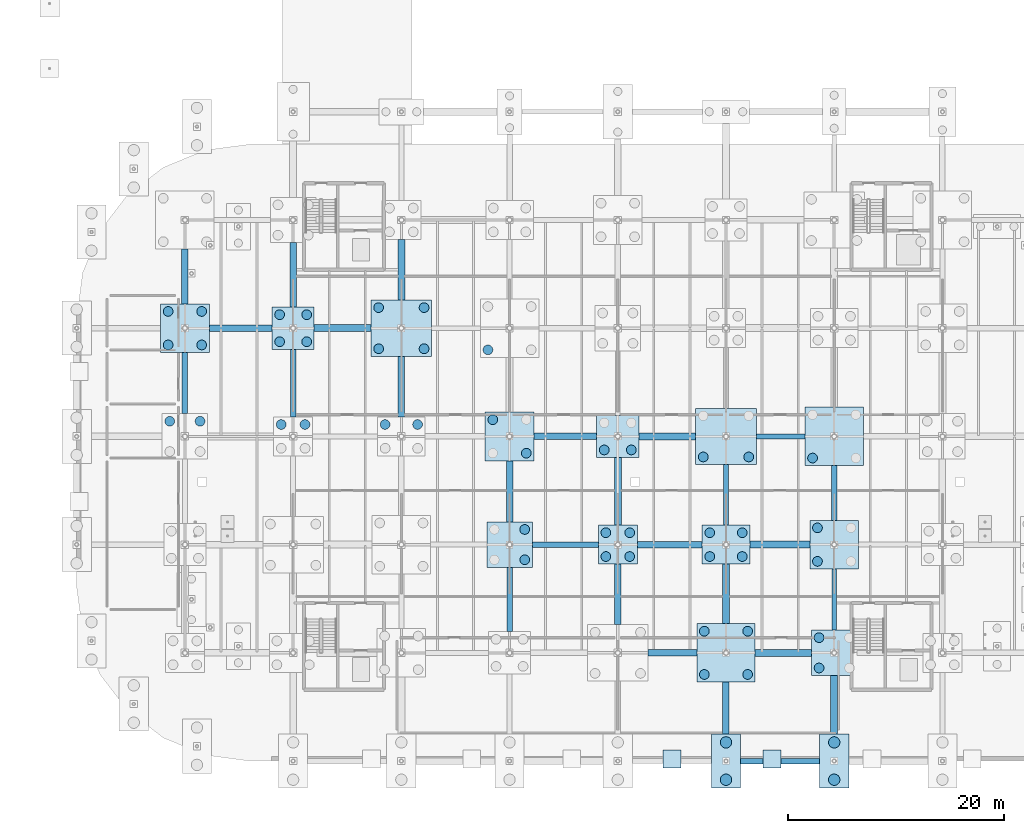
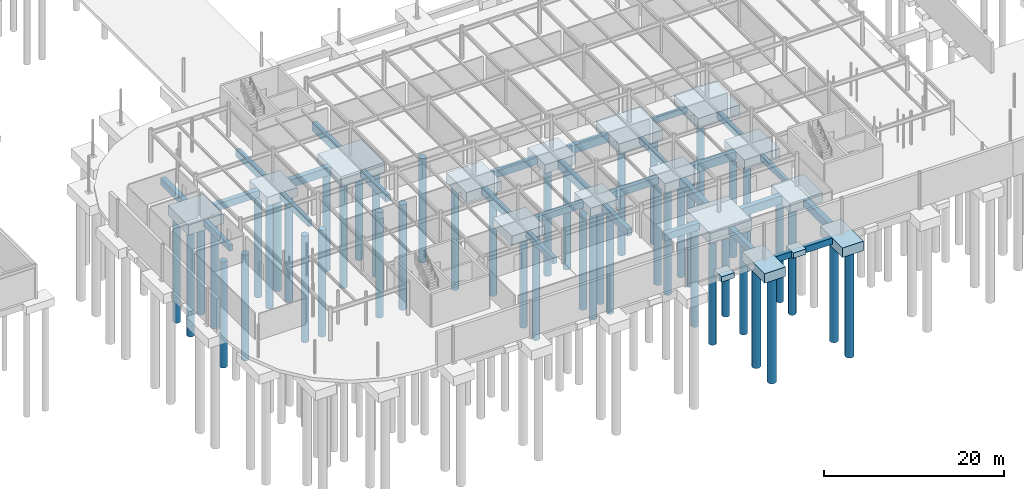
# One storey, part 3 of 75: 48 piles, 44 footings.
"""IFC4 building model written with IfcOpenShell, lengths in metres."""

from ifc_helpers import new_model, si_unit, derived_unit, direction, frame, origin, origin_2d_with_axis, place, context, subcontext, project, spatial, rectangle, circle, extrude, material, layer, layer_set, material_profile, profile_set, type_object, element, save


model = new_model("IFC4")

# Units and contexts
model_context = context("Model", 3, precision=1e-05, world=origin(), true_north=direction((0.0, 1.0)))
body_context = subcontext(model_context, "Body", "Model", "MODEL_VIEW")
ifc_project = project(units=[si_unit("LENGTHUNIT", "METRE"), si_unit("AREAUNIT", "SQUARE_METRE"), si_unit("VOLUMEUNIT", "CUBIC_METRE"), si_unit("PLANEANGLEUNIT", "RADIAN"), si_unit("MASSUNIT", "GRAM", prefix="KILO"), derived_unit("THERMALTRANSMITTANCEUNIT", [(si_unit("POWERUNIT", "WATT"), 1), (si_unit("LENGTHUNIT", "METRE"), -2), (si_unit("THERMODYNAMICTEMPERATUREUNIT", "KELVIN"), -1)])], contexts=[model_context])

# Site, building, storey
site_placement = place(None, origin())
site = spatial("IfcSite", under=ifc_project, at=site_placement, CompositionType="ELEMENT")
building_placement = place(site_placement, origin())
building = spatial("IfcBuilding", under=site, at=building_placement, Name="Cinnabar Yard Market Hall", CompositionType="ELEMENT")
storey_placement = place(building_placement, frame((0.0, 0.0, -4.5)))
storey = spatial("IfcBuildingStorey", under=building, at=storey_placement, Name="B1", CompositionType="ELEMENT", Elevation=-4.5)

# Footings
ifc_material = material(Name="Concrete 40 MPa", Category="concrete")
ifc_material_profile_1 = material_profile(ifc_material, rectangle(XDim=0.449951171875, YDim=0.75, at=origin_2d_with_axis()), Name="GB-450x750")
ifc_profile_set_1 = profile_set([ifc_material_profile_1], Name="Concrete 40 MPa")
footing_type_1 = type_object("IfcFootingType", Name="FT-GB01", PredefinedType="FOOTING_BEAM", material=ifc_profile_set_1)
footing_1_placement = place(storey_placement, frame((128.800048828125, 44.0, -0.824951171875), z_axis=(1.0, 0.0, 0.0), x_axis=(0.0, 1.0, 0.0)))
element("IfcFooting", 1, at=footing_1_placement, inside=storey, type_object=footing_type_1, Name="Ground Beam X 0044", PredefinedType="FOOTING_BEAM", context=body_context, shape_type="SweptSolid", body=[
    extrude(rectangle(XDim=0.449951171875, YDim=0.75, at=origin_2d_with_axis()), origin(), (0.0, 0.0, 1.0), 4.5),
])
footing_2_placement = place(storey_placement, frame((126.0, 35.800048828125, -0.824951171875), z_axis=(0.0, 1.0, 0.0), x_axis=(-1.0, 0.0, 0.0)))
element("IfcFooting", 2, at=footing_2_placement, inside=storey, type_object=footing_type_1, Name="Ground Beam Y 0228", PredefinedType="FOOTING_BEAM", context=body_context, shape_type="SweptSolid", body=[
    extrude(rectangle(XDim=0.449951171875, YDim=0.75, at=origin_2d_with_axis()), origin(), (0.0, 0.0, 1.0), 5.599853515625),
])
footing_3_placement = place(storey_placement, frame((136.0, 26.10009765625, -0.824951171875), z_axis=(0.0, 1.0, 0.0), x_axis=(-1.0, 0.0, 0.0)))
element("IfcFooting", 3, at=footing_3_placement, inside=storey, type_object=footing_type_1, Name="Ground Beam Y 0236", PredefinedType="FOOTING_BEAM", context=body_context, shape_type="SweptSolid", body=[
    extrude(rectangle(XDim=0.449951171875, YDim=0.75, at=origin_2d_with_axis()), origin(), (0.0, 0.0, 1.0), 5.64990234375),
])
ifc_material_profile_2 = material_profile(ifc_material, rectangle(XDim=0.5, YDim=0.85009765625, at=origin_2d_with_axis()), Name="GB-500x850")
ifc_profile_set_2 = profile_set([ifc_material_profile_2], Name="Concrete 40 MPa")
footing_type_2 = type_object("IfcFootingType", Name="FT-GB02", PredefinedType="FOOTING_BEAM", material=ifc_profile_set_2)
footing_4_placement = place(storey_placement, frame((127.35009765625, 14.0, -0.875), z_axis=(1.0, 0.0, 0.0), x_axis=(0.0, 1.0, 0.0)))
element("IfcFooting", 4, at=footing_4_placement, inside=storey, type_object=footing_type_2, Name="Ground Beam X 0005", PredefinedType="FOOTING_BEAM", context=body_context, shape_type="SweptSolid", body=[
    extrude(rectangle(XDim=0.5, YDim=0.85009765625, at=origin_2d_with_axis()), origin(), (0.0, 0.0, 1.0), 7.2998046875),
])
footing_5_placement = place(storey_placement, frame((108.10009765625, 34.0, -0.875), z_axis=(1.0, 0.0, 0.0), x_axis=(0.0, 1.0, 0.0)))
element("IfcFooting", 5, at=footing_5_placement, inside=storey, type_object=footing_type_2, Name="Ground Beam X 0025", PredefinedType="FOOTING_BEAM", context=body_context, shape_type="SweptSolid", body=[
    extrude(rectangle(XDim=0.5, YDim=0.85009765625, at=origin_2d_with_axis()), origin(), (0.0, 0.0, 1.0), 6.099853515625),
])
footing_6_placement = place(storey_placement, frame((76.0, 46.10009765625, -0.875), z_axis=(0.0, 1.0, 0.0), x_axis=(-1.0, 0.0, 0.0)))
element("IfcFooting", 6, at=footing_6_placement, inside=storey, type_object=footing_type_2, Name="Ground Beam Y 0185", PredefinedType="FOOTING_BEAM", context=body_context, shape_type="SweptSolid", body=[
    extrude(rectangle(XDim=0.5, YDim=0.85009765625, at=origin_2d_with_axis()), origin(), (0.0, 0.0, 1.0), 5.64990234375),
])
footing_7_placement = place(storey_placement, frame((86.0, 45.800048828125, -0.875), z_axis=(0.0, 1.0, 0.0), x_axis=(-1.0, 0.0, 0.0)))
element("IfcFooting", 7, at=footing_7_placement, inside=storey, type_object=footing_type_2, Name="Ground Beam Y 0193", PredefinedType="FOOTING_BEAM", context=body_context, shape_type="SweptSolid", body=[
    extrude(rectangle(XDim=0.5, YDim=0.85009765625, at=origin_2d_with_axis()), origin(), (0.0, 0.0, 1.0), 6.25),
])
footing_8_placement = place(storey_placement, frame((106.0, 25.949951171875, -0.875), z_axis=(0.0, 1.0, 0.0), x_axis=(-1.0, 0.0, 0.0)))
element("IfcFooting", 8, at=footing_8_placement, inside=storey, type_object=footing_type_2, Name="Ground Beam Y 0209", PredefinedType="FOOTING_BEAM", context=body_context, shape_type="SweptSolid", body=[
    extrude(rectangle(XDim=0.5, YDim=0.85009765625, at=origin_2d_with_axis()), origin(), (0.0, 0.0, 1.0), 5.949951171875),
])
footing_9_placement = place(storey_placement, frame((136.0, 36.25, -0.875), z_axis=(0.0, 1.0, 0.0), x_axis=(-1.0, 0.0, 0.0)))
element("IfcFooting", 9, at=footing_9_placement, inside=storey, type_object=footing_type_2, Name="Ground Beam Y 0237", PredefinedType="FOOTING_BEAM", context=body_context, shape_type="SweptSolid", body=[
    extrude(rectangle(XDim=0.5, YDim=0.85009765625, at=origin_2d_with_axis()), origin(), (0.0, 0.0, 1.0), 5.050048828125),
])
ifc_material_profile_3 = material_profile(ifc_material, rectangle(XDim=0.60009765625, YDim=0.949951171875, at=origin_2d_with_axis()), Name="GB-600x950")
ifc_profile_set_3 = profile_set([ifc_material_profile_3], Name="Concrete 40 MPa")
footing_type_3 = type_object("IfcFootingType", Name="FT-GB03", PredefinedType="FOOTING_BEAM", material=ifc_profile_set_3)
footing_10_placement = place(storey_placement, frame((118.800048828125, 24.0, -0.925048828125), z_axis=(1.0, 0.0, 0.0), x_axis=(0.0, 1.0, 0.0)))
element("IfcFooting", 10, at=footing_10_placement, inside=storey, type_object=footing_type_3, Name="Ground Beam X 0014", PredefinedType="FOOTING_BEAM", context=body_context, shape_type="SweptSolid", body=[
    extrude(rectangle(XDim=0.60009765625, YDim=0.949951171875, at=origin_2d_with_axis()), origin(), (0.0, 0.0, 1.0), 4.5),
])
footing_11_placement = place(storey_placement, frame((117.800048828125, 34.0, -0.925048828125), z_axis=(1.0, 0.0, 0.0), x_axis=(0.0, 1.0, 0.0)))
element("IfcFooting", 11, at=footing_11_placement, inside=storey, type_object=footing_type_3, Name="Ground Beam X 0026", PredefinedType="FOOTING_BEAM", context=body_context, shape_type="SweptSolid", body=[
    extrude(rectangle(XDim=0.60009765625, YDim=0.949951171875, at=origin_2d_with_axis()), origin(), (0.0, 0.0, 1.0), 6.0),
])
for number, where, z_axis, x_axis, name in (
    (12, (108.25, 44.0, -0.925048828125), (1.0, 0.0, 0.0), (0.0, 1.0, 0.0), "Ground Beam X 0042"),
    (13, (78.25, 54.0, -0.925048828125), (1.0, 0.0, 0.0), (0.0, 1.0, 0.0), "Ground Beam X 0058"),
):
    element("IfcFooting", number, at=place(storey_placement, frame(where, z_axis=z_axis, x_axis=x_axis)), inside=storey, type_object=footing_type_3, Name=name, PredefinedType="FOOTING_BEAM", context=body_context, shape_type="SweptSolid", body=[
        extrude(rectangle(XDim=0.60009765625, YDim=0.949951171875, at=origin_2d_with_axis()), origin(), (0.0, 0.0, 1.0), 5.800048828125),
    ])
footing_12_placement = place(storey_placement, frame((76.0, 56.25, -0.925048828125), z_axis=(0.0, 1.0, 0.0), x_axis=(-1.0, 0.0, 0.0)))
element("IfcFooting", 14, at=footing_12_placement, inside=storey, type_object=footing_type_3, Name="Ground Beam Y 0186", PredefinedType="FOOTING_BEAM", context=body_context, shape_type="SweptSolid", body=[
    extrude(rectangle(XDim=0.60009765625, YDim=0.949951171875, at=origin_2d_with_axis()), origin(), (0.0, 0.0, 1.0), 5.050048828125),
])
footing_13_placement = place(storey_placement, frame((86.0, 55.949951171875, -0.925048828125), z_axis=(0.0, 1.0, 0.0), x_axis=(-1.0, 0.0, 0.0)))
element("IfcFooting", 15, at=footing_13_placement, inside=storey, type_object=footing_type_3, Name="Ground Beam Y 0194", PredefinedType="FOOTING_BEAM", context=body_context, shape_type="SweptSolid", body=[
    extrude(rectangle(XDim=0.60009765625, YDim=0.949951171875, at=origin_2d_with_axis()), origin(), (0.0, 0.0, 1.0), 5.949951171875),
])
footing_14_placement = place(storey_placement, frame((96.0, 45.800048828125, -0.925048828125), z_axis=(0.0, 1.0, 0.0), x_axis=(-1.0, 0.0, 0.0)))
element("IfcFooting", 16, at=footing_14_placement, inside=storey, type_object=footing_type_3, Name="Ground Beam Y 0202", PredefinedType="FOOTING_BEAM", context=body_context, shape_type="SweptSolid", body=[
    extrude(rectangle(XDim=0.60009765625, YDim=0.949951171875, at=origin_2d_with_axis()), origin(), (0.0, 0.0, 1.0), 5.599853515625),
])
footing_15_placement = place(storey_placement, frame((106.0, 36.10009765625, -0.925048828125), z_axis=(0.0, 1.0, 0.0), x_axis=(-1.0, 0.0, 0.0)))
element("IfcFooting", 17, at=footing_15_placement, inside=storey, type_object=footing_type_3, Name="Ground Beam Y 0210", PredefinedType="FOOTING_BEAM", context=body_context, shape_type="SweptSolid", body=[
    extrude(rectangle(XDim=0.60009765625, YDim=0.949951171875, at=origin_2d_with_axis()), origin(), (0.0, 0.0, 1.0), 5.64990234375),
])
footing_16_placement = place(storey_placement, frame((116.0, 26.60009765625, -0.925048828125), z_axis=(0.0, 1.0, 0.0), x_axis=(-1.0, 0.0, 0.0)))
element("IfcFooting", 18, at=footing_16_placement, inside=storey, type_object=footing_type_3, Name="Ground Beam Y 0218", PredefinedType="FOOTING_BEAM", context=body_context, shape_type="SweptSolid", body=[
    extrude(rectangle(XDim=0.60009765625, YDim=0.949951171875, at=origin_2d_with_axis()), origin(), (0.0, 0.0, 1.0), 5.599853515625),
])
footing_17_placement = place(storey_placement, frame((126.0, 16.5, -0.925048828125), z_axis=(0.0, 1.0, 0.0), x_axis=(-1.0, 0.0, 0.0)))
element("IfcFooting", 19, at=footing_17_placement, inside=storey, type_object=footing_type_3, Name="Ground Beam Y 0226", PredefinedType="FOOTING_BEAM", context=body_context, shape_type="SweptSolid", body=[
    extrude(rectangle(XDim=0.60009765625, YDim=0.949951171875, at=origin_2d_with_axis()), origin(), (0.0, 0.0, 1.0), 4.800048828125),
])
ifc_material_profile_4 = material_profile(ifc_material, rectangle(XDim=0.64990234375, YDim=1.10009765625, at=origin_2d_with_axis()), Name="GB-650x1100")
ifc_profile_set_4 = profile_set([ifc_material_profile_4], Name="Concrete 40 MPa")
footing_type_4 = type_object("IfcFootingType", Name="FT-GB04", PredefinedType="FOOTING_BEAM", material=ifc_profile_set_4)
footing_18_placement = place(storey_placement, frame((128.699951171875, 24.0, -1.0), z_axis=(1.0, 0.0, 0.0), x_axis=(0.0, 1.0, 0.0)))
element("IfcFooting", 20, at=footing_18_placement, inside=storey, type_object=footing_type_4, Name="Ground Beam X 0015", PredefinedType="FOOTING_BEAM", context=body_context, shape_type="SweptSolid", body=[
    extrude(rectangle(XDim=0.64990234375, YDim=1.10009765625, at=origin_2d_with_axis()), origin(), (0.0, 0.0, 1.0), 5.199951171875),
])
footing_19_placement = place(storey_placement, frame((128.199951171875, 34.0, -1.0), z_axis=(1.0, 0.0, 0.0), x_axis=(0.0, 1.0, 0.0)))
element("IfcFooting", 21, at=footing_19_placement, inside=storey, type_object=footing_type_4, Name="Ground Beam X 0027", PredefinedType="FOOTING_BEAM", context=body_context, shape_type="SweptSolid", body=[
    extrude(rectangle(XDim=0.64990234375, YDim=1.10009765625, at=origin_2d_with_axis()), origin(), (0.0, 0.0, 1.0), 5.550048828125),
])
for number, where, z_axis, x_axis, name in (
    (22, (117.949951171875, 44.0, -1.0), (1.0, 0.0, 0.0), (0.0, 1.0, 0.0), "Ground Beam X 0043"),
    (23, (87.949951171875, 54.0, -1.0), (1.0, 0.0, 0.0), (0.0, 1.0, 0.0), "Ground Beam X 0059"),
):
    element("IfcFooting", number, at=place(storey_placement, frame(where, z_axis=z_axis, x_axis=x_axis)), inside=storey, type_object=footing_type_4, Name=name, PredefinedType="FOOTING_BEAM", context=body_context, shape_type="SweptSolid", body=[
        extrude(rectangle(XDim=0.64990234375, YDim=1.10009765625, at=origin_2d_with_axis()), origin(), (0.0, 0.0, 1.0), 5.25),
    ])
footing_20_placement = place(storey_placement, frame((96.0, 56.60009765625, -1.0), z_axis=(0.0, 1.0, 0.0), x_axis=(-1.0, 0.0, 0.0)))
element("IfcFooting", 24, at=footing_20_placement, inside=storey, type_object=footing_type_4, Name="Ground Beam Y 0203", PredefinedType="FOOTING_BEAM", context=body_context, shape_type="SweptSolid", body=[
    extrude(rectangle(XDim=0.64990234375, YDim=1.10009765625, at=origin_2d_with_axis()), origin(), (0.0, 0.0, 1.0), 5.599853515625),
])
footing_21_placement = place(storey_placement, frame((116.0, 35.800048828125, -1.0), z_axis=(0.0, 1.0, 0.0), x_axis=(-1.0, 0.0, 0.0)))
element("IfcFooting", 25, at=footing_21_placement, inside=storey, type_object=footing_type_4, Name="Ground Beam Y 0219", PredefinedType="FOOTING_BEAM", context=body_context, shape_type="SweptSolid", body=[
    extrude(rectangle(XDim=0.64990234375, YDim=1.10009765625, at=origin_2d_with_axis()), origin(), (0.0, 0.0, 1.0), 6.25),
])
footing_22_placement = place(storey_placement, frame((126.0, 26.699951171875, -1.0), z_axis=(0.0, 1.0, 0.0), x_axis=(-1.0, 0.0, 0.0)))
element("IfcFooting", 26, at=footing_22_placement, inside=storey, type_object=footing_type_4, Name="Ground Beam Y 0227", PredefinedType="FOOTING_BEAM", context=body_context, shape_type="SweptSolid", body=[
    extrude(rectangle(XDim=0.64990234375, YDim=1.10009765625, at=origin_2d_with_axis()), origin(), (0.0, 0.0, 1.0), 5.5),
])
footing_23_placement = place(storey_placement, frame((136.0, 16.5, -1.0), z_axis=(0.0, 1.0, 0.0), x_axis=(-1.0, 0.0, 0.0)))
element("IfcFooting", 27, at=footing_23_placement, inside=storey, type_object=footing_type_4, Name="Ground Beam Y 0235", PredefinedType="FOOTING_BEAM", context=body_context, shape_type="SweptSolid", body=[
    extrude(rectangle(XDim=0.64990234375, YDim=1.10009765625, at=origin_2d_with_axis()), origin(), (0.0, 0.0, 1.0), 5.39990234375),
])
ifc_layer_1 = layer(ifc_material, 1.14990234375)
ifc_layer_set_1 = layer_set([ifc_layer_1], Name="Concrete 40 MPa")
footing_type_5 = type_object("IfcFootingType", Name="FT-PC03", PredefinedType="PILE_CAP", material=ifc_layer_set_1)
footing_24_placement = place(storey_placement, frame((116.0, 34.0, -1.599853515625), z_axis=(0.0, 0.0, 1.0), x_axis=(1.0, 0.0, 0.0)))
element("IfcFooting", 28, at=footing_24_placement, inside=storey, type_object=footing_type_5, Name="Pile Cap V1I-05-02", PredefinedType="PILE_CAP", context=body_context, shape_type="SweptSolid", body=[
    extrude(rectangle(XDim=3.60009765625, YDim=3.60009765625, at=origin_2d_with_axis()), origin(), (0.0, 0.0, 1.0), 1.14990234375),
])
ifc_layer_2 = layer(ifc_material, 1.199951171875)
ifc_layer_set_2 = layer_set([ifc_layer_2], Name="Concrete 40 MPa")
footing_type_6 = type_object("IfcFootingType", Name="FT-PC04", PredefinedType="PILE_CAP", material=ifc_layer_set_2)
for number, where, z_axis, x_axis, name in (
    (29, (86.0, 54.0, -1.64990234375), (0.0, 0.0, 1.0), (1.0, 0.0, 0.0), "Pile Cap V1I-02-04"),
    (30, (116.0, 44.0, -1.64990234375), (0.0, 0.0, 1.0), (1.0, 0.0, 0.0), "Pile Cap V1I-05-03"),
):
    element("IfcFooting", number, at=place(storey_placement, frame(where, z_axis=z_axis, x_axis=x_axis)), inside=storey, type_object=footing_type_6, Name=name, PredefinedType="PILE_CAP", context=body_context, shape_type="SweptSolid", body=[
        extrude(rectangle(XDim=3.89990234375, YDim=3.89990234375, at=origin_2d_with_axis()), origin(), (0.0, 0.0, 1.0), 1.199951171875),
    ])
ifc_layer_3 = layer(ifc_material, 1.25)
ifc_layer_set_3 = layer_set([ifc_layer_3], Name="Concrete 40 MPa")
footing_type_7 = type_object("IfcFootingType", Name="FT-PC05", PredefinedType="PILE_CAP", material=ifc_layer_set_3)
for number, where, z_axis, x_axis, name in (
    (31, (106.0, 34.0, -1.699951171875), (0.0, 0.0, 1.0), (1.0, 0.0, 0.0), "Pile Cap V1I-04-02"),
    (32, (136.0, 24.0, -1.699951171875), (0.0, 0.0, 1.0), (1.0, 0.0, 0.0), "Pile Cap V1I-07-01"),
):
    element("IfcFooting", number, at=place(storey_placement, frame(where, z_axis=z_axis, x_axis=x_axis)), inside=storey, type_object=footing_type_7, Name=name, PredefinedType="PILE_CAP", context=body_context, shape_type="SweptSolid", body=[
        extrude(rectangle(XDim=4.199951171875, YDim=4.199951171875, at=origin_2d_with_axis()), origin(), (0.0, 0.0, 1.0), 1.25),
    ])
ifc_layer_4 = layer(ifc_material, 1.35009765625)
ifc_layer_set_4 = layer_set([ifc_layer_4], Name="Concrete 40 MPa")
footing_type_8 = type_object("IfcFootingType", Name="FT-PC06", PredefinedType="PILE_CAP", material=ifc_layer_set_4)
for number, where, z_axis, x_axis, name in (
    (33, (76.0, 54.0, -1.800048828125), (0.0, 0.0, 1.0), (1.0, 0.0, 0.0), "Pile Cap V1I-01-04"),
    (34, (106.0, 44.0, -1.800048828125), (0.0, 0.0, 1.0), (1.0, 0.0, 0.0), "Pile Cap V1I-04-03"),
    (35, (136.0, 34.0, -1.800048828125), (0.0, 0.0, 1.0), (1.0, 0.0, 0.0), "Pile Cap V1I-07-02"),
):
    element("IfcFooting", number, at=place(storey_placement, frame(where, z_axis=z_axis, x_axis=x_axis)), inside=storey, type_object=footing_type_8, Name=name, PredefinedType="PILE_CAP", context=body_context, shape_type="SweptSolid", body=[
        extrude(rectangle(XDim=4.5, YDim=4.5, at=origin_2d_with_axis()), origin(), (0.0, 0.0, 1.0), 1.35009765625),
    ])
ifc_layer_5 = layer(ifc_material, 1.300048828125)
ifc_layer_set_5 = layer_set([ifc_layer_5], Name="Concrete 40 MPa")
footing_type_9 = type_object("IfcFootingType", Name="FT-PC10", PredefinedType="PILE_CAP", material=ifc_layer_set_5)
for number, where, z_axis, x_axis, name in (
    (36, (126.0, 14.0, -1.75), (0.0, 0.0, 1.0), (1.0, 0.0, 0.0), "Pile Cap V1S-05"),
    (37, (136.0, 14.0, -1.75), (0.0, 0.0, 1.0), (1.0, 0.0, 0.0), "Pile Cap V1S-06"),
):
    element("IfcFooting", number, at=place(storey_placement, frame(where, z_axis=z_axis, x_axis=x_axis)), inside=storey, type_object=footing_type_9, Name=name, PredefinedType="PILE_CAP", context=body_context, shape_type="SweptSolid", body=[
        extrude(rectangle(XDim=2.699951171875, YDim=5.0, at=origin_2d_with_axis()), origin(), (0.0, 0.0, 1.0), 1.300048828125),
    ])
ifc_layer_6 = layer(ifc_material, 1.449951171875)
ifc_layer_set_6 = layer_set([ifc_layer_6], Name="Concrete 40 MPa")
footing_type_10 = type_object("IfcFootingType", Name="FT-PC12", PredefinedType="PILE_CAP", material=ifc_layer_set_6)
for number, where, z_axis, x_axis, name in (
    (38, (126.0, 24.0, -1.89990234375), (0.0, 0.0, 1.0), (1.0, 0.0, 0.0), "Pile Cap V1I-06-01"),
    (39, (136.0, 44.0, -1.89990234375), (0.0, 0.0, 1.0), (1.0, 0.0, 0.0), "Pile Cap V1I-07-03"),
):
    element("IfcFooting", number, at=place(storey_placement, frame(where, z_axis=z_axis, x_axis=x_axis)), inside=storey, type_object=footing_type_10, Name=name, PredefinedType="PILE_CAP", context=body_context, shape_type="SweptSolid", body=[
        extrude(rectangle(XDim=5.39990234375, YDim=5.39990234375, at=origin_2d_with_axis()), origin(), (0.0, 0.0, 1.0), 1.449951171875),
    ])
ifc_layer_7 = layer(ifc_material, 1.300048828125)
ifc_layer_set_7 = layer_set([ifc_layer_7], Name="Concrete 40 MPa")
footing_type_11 = type_object("IfcFootingType", Name="FT-PC15", PredefinedType="PILE_CAP", material=ifc_layer_set_7)
footing_25_placement = place(storey_placement, frame((126.0, 34.0, -1.75), z_axis=(0.0, 0.0, 1.0), x_axis=(1.0, 0.0, 0.0)))
element("IfcFooting", 40, at=footing_25_placement, inside=storey, type_object=footing_type_11, Name="Pile Cap V1I-06-02", PredefinedType="PILE_CAP", context=body_context, shape_type="SweptSolid", body=[
    extrude(rectangle(XDim=4.39990234375, YDim=3.60009765625, at=origin_2d_with_axis()), origin(), (0.0, 0.0, 1.0), 1.300048828125),
])
ifc_layer_8 = layer(ifc_material, 1.39990234375)
ifc_layer_set_8 = layer_set([ifc_layer_8], Name="Concrete 40 MPa")
footing_type_12 = type_object("IfcFootingType", Name="FT-PC16", PredefinedType="PILE_CAP", material=ifc_layer_set_8)
for number, where, z_axis, x_axis, name in (
    (41, (96.0, 54.0, -1.849853515625), (0.0, 0.0, 1.0), (1.0, 0.0, 0.0), "Pile Cap V1I-03-04"),
    (42, (126.0, 44.0, -1.849853515625), (0.0, 0.0, 1.0), (1.0, 0.0, 0.0), "Pile Cap V1I-06-03"),
):
    element("IfcFooting", number, at=place(storey_placement, frame(where, z_axis=z_axis, x_axis=x_axis)), inside=storey, type_object=footing_type_12, Name=name, PredefinedType="PILE_CAP", context=body_context, shape_type="SweptSolid", body=[
        extrude(rectangle(XDim=5.60009765625, YDim=5.199951171875, at=origin_2d_with_axis()), origin(), (0.0, 0.0, 1.0), 1.39990234375),
    ])
ifc_layer_9 = layer(ifc_material, 0.719970703125)
ifc_layer_set_9 = layer_set([ifc_layer_9], Name="Concrete 40 MPa")
footing_type_13 = type_object("IfcFootingType", Name="FT-PF02", PredefinedType="PAD_FOOTING", material=ifc_layer_set_9)
for number, where, z_axis, x_axis, name in (
    (43, (121.0, 14.199951171875, -1.169921875), (0.0, 0.0, 1.0), (1.0, 0.0, 0.0), "Wall Pad B1-RET-V1S-4"),
    (44, (130.25, 14.199951171875, -1.169921875), (0.0, 0.0, 1.0), (1.0, 0.0, 0.0), "Wall Pad B1-RET-V1S-5"),
):
    element("IfcFooting", number, at=place(storey_placement, frame(where, z_axis=z_axis, x_axis=x_axis)), inside=storey, type_object=footing_type_13, Name=name, PredefinedType="PAD_FOOTING", context=body_context, shape_type="SweptSolid", body=[
        extrude(rectangle(XDim=1.64990234375, YDim=1.64990234375, at=origin_2d_with_axis()), origin(), (0.0, 0.0, 1.0), 0.719970703125),
    ])

# Piles
ifc_material_profile_5 = material_profile(ifc_material, circle(Radius=0.52490234375, at=origin_2d_with_axis()), Name="PILE-D1050")
ifc_profile_set_5 = profile_set([ifc_material_profile_5], Name="Concrete 40 MPa")
pile_type_1 = type_object("IfcPileType", Name="PILE-PL1050", PredefinedType="BORED", material=ifc_profile_set_5)
for number, where, z_axis, x_axis, name in (
    (45, (126.0, 12.27490234375, -1.64990234375), (0.0, 0.0, -1.0), (1.0, 0.0, 0.0), "Bored Pile 0197"),
    (46, (126.0, 15.72509765625, -1.64990234375), (0.0, 0.0, -1.0), (1.0, 0.0, 0.0), "Bored Pile 0198"),
    (47, (136.0, 12.27490234375, -1.64990234375), (0.0, 0.0, -1.0), (1.0, 0.0, 0.0), "Bored Pile 0201"),
    (48, (136.0, 15.72509765625, -1.64990234375), (0.0, 0.0, -1.0), (1.0, 0.0, 0.0), "Bored Pile 0202"),
):
    element("IfcPile", number, at=place(storey_placement, frame(where, z_axis=z_axis, x_axis=x_axis)), inside=storey, type_object=pile_type_1, Name=name, PredefinedType="BORED", context=body_context, shape_type="SweptSolid", body=[
        extrude(circle(Radius=0.52490234375, at=origin_2d_with_axis()), origin(), (0.0, 0.0, 1.0), 14.35009765625),
    ])
ifc_material_profile_6 = material_profile(ifc_material, circle(Radius=0.449951171875, at=origin_2d_with_axis()), Name="PILE-D900")
ifc_profile_set_6 = profile_set([ifc_material_profile_6], Name="Concrete 40 MPa")
pile_type_2 = type_object("IfcPileType", Name="PILE-PL900", PredefinedType="BORED", material=ifc_profile_set_6)
for number, where, z_axis, x_axis, name in (
    (49, (74.60009765625, 45.39990234375, -1.60009765625), (0.0, 0.0, -1.0), (1.0, 0.0, 0.0), "Bored Pile 0011"),
    (50, (77.39990234375, 45.39990234375, -1.60009765625), (0.0, 0.0, -1.0), (1.0, 0.0, 0.0), "Bored Pile 0012"),
):
    element("IfcPile", number, at=place(storey_placement, frame(where, z_axis=z_axis, x_axis=x_axis)), inside=storey, type_object=pile_type_2, Name=name, PredefinedType="BORED", context=body_context, shape_type="SweptSolid", body=[
        extrude(circle(Radius=0.449951171875, at=origin_2d_with_axis()), origin(), (0.0, 0.0, 1.0), 14.39990234375),
    ])
for number, where, z_axis, x_axis, name in (
    (51, (74.449951171875, 52.449951171875, -1.699951171875), (0.0, 0.0, -1.0), (1.0, 0.0, 0.0), "Bored Pile 0013"),
    (52, (77.550048828125, 52.449951171875, -1.699951171875), (0.0, 0.0, -1.0), (1.0, 0.0, 0.0), "Bored Pile 0014"),
    (53, (74.449951171875, 55.550048828125, -1.699951171875), (0.0, 0.0, -1.0), (1.0, 0.0, 0.0), "Bored Pile 0015"),
    (54, (77.550048828125, 55.550048828125, -1.699951171875), (0.0, 0.0, -1.0), (1.0, 0.0, 0.0), "Bored Pile 0016"),
):
    element("IfcPile", number, at=place(storey_placement, frame(where, z_axis=z_axis, x_axis=x_axis)), inside=storey, type_object=pile_type_2, Name=name, PredefinedType="BORED", context=body_context, shape_type="SweptSolid", body=[
        extrude(circle(Radius=0.449951171875, at=origin_2d_with_axis()), origin(), (0.0, 0.0, 1.0), 14.300048828125),
    ])
for number, where, z_axis, x_axis, name in (
    (55, (84.89990234375, 45.10009765625, -1.5), (0.0, 0.0, -1.0), (1.0, 0.0, 0.0), "Bored Pile 0031"),
    (56, (87.10009765625, 45.10009765625, -1.5), (0.0, 0.0, -1.0), (1.0, 0.0, 0.0), "Bored Pile 0032"),
):
    element("IfcPile", number, at=place(storey_placement, frame(where, z_axis=z_axis, x_axis=x_axis)), inside=storey, type_object=pile_type_2, Name=name, PredefinedType="BORED", context=body_context, shape_type="SweptSolid", body=[
        extrude(circle(Radius=0.449951171875, at=origin_2d_with_axis()), origin(), (0.0, 0.0, 1.0), 14.5),
    ])
for number, where, z_axis, x_axis, name in (
    (57, (84.75, 52.75, -1.550048828125), (0.0, 0.0, -1.0), (1.0, 0.0, 0.0), "Bored Pile 0033"),
    (58, (87.25, 52.75, -1.550048828125), (0.0, 0.0, -1.0), (1.0, 0.0, 0.0), "Bored Pile 0034"),
    (59, (84.75, 55.25, -1.550048828125), (0.0, 0.0, -1.0), (1.0, 0.0, 0.0), "Bored Pile 0035"),
    (60, (87.25, 55.25, -1.550048828125), (0.0, 0.0, -1.0), (1.0, 0.0, 0.0), "Bored Pile 0036"),
):
    element("IfcPile", number, at=place(storey_placement, frame(where, z_axis=z_axis, x_axis=x_axis)), inside=storey, type_object=pile_type_2, Name=name, PredefinedType="BORED", context=body_context, shape_type="SweptSolid", body=[
        extrude(circle(Radius=0.449951171875, at=origin_2d_with_axis()), origin(), (0.0, 0.0, 1.0), 14.449951171875),
    ])
for number, where, z_axis, x_axis, name in (
    (61, (94.5, 45.10009765625, -1.64990234375), (0.0, 0.0, -1.0), (1.0, 0.0, 0.0), "Bored Pile 0051"),
    (62, (97.5, 45.10009765625, -1.64990234375), (0.0, 0.0, -1.0), (1.0, 0.0, 0.0), "Bored Pile 0052"),
):
    element("IfcPile", number, at=place(storey_placement, frame(where, z_axis=z_axis, x_axis=x_axis)), inside=storey, type_object=pile_type_2, Name=name, PredefinedType="BORED", context=body_context, shape_type="SweptSolid", body=[
        extrude(circle(Radius=0.449951171875, at=origin_2d_with_axis()), origin(), (0.0, 0.0, 1.0), 14.35009765625),
    ])
for number, where, z_axis, x_axis, name in (
    (63, (93.89990234375, 52.10009765625, -1.75), (0.0, 0.0, -1.0), (1.0, 0.0, 0.0), "Bored Pile 0053"),
    (64, (98.10009765625, 52.10009765625, -1.75), (0.0, 0.0, -1.0), (1.0, 0.0, 0.0), "Bored Pile 0054"),
    (65, (93.89990234375, 55.89990234375, -1.75), (0.0, 0.0, -1.0), (1.0, 0.0, 0.0), "Bored Pile 0055"),
    (66, (98.10009765625, 55.89990234375, -1.75), (0.0, 0.0, -1.0), (1.0, 0.0, 0.0), "Bored Pile 0056"),
):
    element("IfcPile", number, at=place(storey_placement, frame(where, z_axis=z_axis, x_axis=x_axis)), inside=storey, type_object=pile_type_2, Name=name, PredefinedType="BORED", context=body_context, shape_type="SweptSolid", body=[
        extrude(circle(Radius=0.449951171875, at=origin_2d_with_axis()), origin(), (0.0, 0.0, 1.0), 14.25),
    ])
for number, where, z_axis, x_axis, name in (
    (67, (107.39990234375, 32.60009765625, -1.60009765625), (0.0, 0.0, -1.0), (1.0, 0.0, 0.0), "Bored Pile 0066"),
    (68, (107.39990234375, 35.39990234375, -1.60009765625), (0.0, 0.0, -1.0), (1.0, 0.0, 0.0), "Bored Pile 0068"),
):
    element("IfcPile", number, at=place(storey_placement, frame(where, z_axis=z_axis, x_axis=x_axis)), inside=storey, type_object=pile_type_2, Name=name, PredefinedType="BORED", context=body_context, shape_type="SweptSolid", body=[
        extrude(circle(Radius=0.449951171875, at=origin_2d_with_axis()), origin(), (0.0, 0.0, 1.0), 14.39990234375),
    ])
for number, where, z_axis, x_axis, name in (
    (69, (107.550048828125, 42.449951171875, -1.699951171875), (0.0, 0.0, -1.0), (1.0, 0.0, 0.0), "Bored Pile 0070"),
    (70, (104.449951171875, 45.550048828125, -1.699951171875), (0.0, 0.0, -1.0), (1.0, 0.0, 0.0), "Bored Pile 0071"),
):
    element("IfcPile", number, at=place(storey_placement, frame(where, z_axis=z_axis, x_axis=x_axis)), inside=storey, type_object=pile_type_2, Name=name, PredefinedType="BORED", context=body_context, shape_type="SweptSolid", body=[
        extrude(circle(Radius=0.449951171875, at=origin_2d_with_axis()), origin(), (0.0, 0.0, 1.0), 14.300048828125),
    ])
pile_1_placement = place(storey_placement, frame((104.0, 52.0, -1.800048828125), z_axis=(0.0, 0.0, -1.0), x_axis=(1.0, 0.0, 0.0)))
element("IfcPile", 71, at=pile_1_placement, inside=storey, type_object=pile_type_2, Name="Bored Pile 0073", PredefinedType="BORED", context=body_context, shape_type="SweptSolid", body=[
    extrude(circle(Radius=0.449951171875, at=origin_2d_with_axis()), origin(), (0.0, 0.0, 1.0), 14.199951171875),
])
for number, where, z_axis, x_axis, name in (
    (72, (114.89990234375, 32.89990234375, -1.5), (0.0, 0.0, -1.0), (1.0, 0.0, 0.0), "Bored Pile 0085"),
    (73, (117.10009765625, 32.89990234375, -1.5), (0.0, 0.0, -1.0), (1.0, 0.0, 0.0), "Bored Pile 0086"),
    (74, (114.89990234375, 35.10009765625, -1.5), (0.0, 0.0, -1.0), (1.0, 0.0, 0.0), "Bored Pile 0087"),
    (75, (117.10009765625, 35.10009765625, -1.5), (0.0, 0.0, -1.0), (1.0, 0.0, 0.0), "Bored Pile 0088"),
):
    element("IfcPile", number, at=place(storey_placement, frame(where, z_axis=z_axis, x_axis=x_axis)), inside=storey, type_object=pile_type_2, Name=name, PredefinedType="BORED", context=body_context, shape_type="SweptSolid", body=[
        extrude(circle(Radius=0.449951171875, at=origin_2d_with_axis()), origin(), (0.0, 0.0, 1.0), 14.5),
    ])
for number, where, z_axis, x_axis, name in (
    (76, (114.75, 42.75, -1.550048828125), (0.0, 0.0, -1.0), (1.0, 0.0, 0.0), "Bored Pile 0089"),
    (77, (117.25, 42.75, -1.550048828125), (0.0, 0.0, -1.0), (1.0, 0.0, 0.0), "Bored Pile 0090"),
):
    element("IfcPile", number, at=place(storey_placement, frame(where, z_axis=z_axis, x_axis=x_axis)), inside=storey, type_object=pile_type_2, Name=name, PredefinedType="BORED", context=body_context, shape_type="SweptSolid", body=[
        extrude(circle(Radius=0.449951171875, at=origin_2d_with_axis()), origin(), (0.0, 0.0, 1.0), 14.449951171875),
    ])
for number, where, z_axis, x_axis, name in (
    (78, (124.0, 22.0, -1.800048828125), (0.0, 0.0, -1.0), (1.0, 0.0, 0.0), "Bored Pile 0101"),
    (79, (128.0, 22.0, -1.800048828125), (0.0, 0.0, -1.0), (1.0, 0.0, 0.0), "Bored Pile 0102"),
    (80, (124.0, 26.0, -1.800048828125), (0.0, 0.0, -1.0), (1.0, 0.0, 0.0), "Bored Pile 0103"),
    (81, (128.0, 26.0, -1.800048828125), (0.0, 0.0, -1.0), (1.0, 0.0, 0.0), "Bored Pile 0104"),
):
    element("IfcPile", number, at=place(storey_placement, frame(where, z_axis=z_axis, x_axis=x_axis)), inside=storey, type_object=pile_type_2, Name=name, PredefinedType="BORED", context=body_context, shape_type="SweptSolid", body=[
        extrude(circle(Radius=0.449951171875, at=origin_2d_with_axis()), origin(), (0.0, 0.0, 1.0), 14.199951171875),
    ])
for number, where, z_axis, x_axis, name in (
    (82, (124.5, 32.89990234375, -1.64990234375), (0.0, 0.0, -1.0), (1.0, 0.0, 0.0), "Bored Pile 0105"),
    (83, (127.5, 32.89990234375, -1.64990234375), (0.0, 0.0, -1.0), (1.0, 0.0, 0.0), "Bored Pile 0106"),
    (84, (124.5, 35.10009765625, -1.64990234375), (0.0, 0.0, -1.0), (1.0, 0.0, 0.0), "Bored Pile 0107"),
    (85, (127.5, 35.10009765625, -1.64990234375), (0.0, 0.0, -1.0), (1.0, 0.0, 0.0), "Bored Pile 0108"),
):
    element("IfcPile", number, at=place(storey_placement, frame(where, z_axis=z_axis, x_axis=x_axis)), inside=storey, type_object=pile_type_2, Name=name, PredefinedType="BORED", context=body_context, shape_type="SweptSolid", body=[
        extrude(circle(Radius=0.449951171875, at=origin_2d_with_axis()), origin(), (0.0, 0.0, 1.0), 14.35009765625),
    ])
for number, where, z_axis, x_axis, name in (
    (86, (123.89990234375, 42.10009765625, -1.75), (0.0, 0.0, -1.0), (1.0, 0.0, 0.0), "Bored Pile 0109"),
    (87, (128.10009765625, 42.10009765625, -1.75), (0.0, 0.0, -1.0), (1.0, 0.0, 0.0), "Bored Pile 0110"),
):
    element("IfcPile", number, at=place(storey_placement, frame(where, z_axis=z_axis, x_axis=x_axis)), inside=storey, type_object=pile_type_2, Name=name, PredefinedType="BORED", context=body_context, shape_type="SweptSolid", body=[
        extrude(circle(Radius=0.449951171875, at=origin_2d_with_axis()), origin(), (0.0, 0.0, 1.0), 14.25),
    ])
for number, where, z_axis, x_axis, name in (
    (88, (134.60009765625, 22.60009765625, -1.60009765625), (0.0, 0.0, -1.0), (1.0, 0.0, 0.0), "Bored Pile 0121"),
    (89, (134.60009765625, 25.39990234375, -1.60009765625), (0.0, 0.0, -1.0), (1.0, 0.0, 0.0), "Bored Pile 0123"),
):
    element("IfcPile", number, at=place(storey_placement, frame(where, z_axis=z_axis, x_axis=x_axis)), inside=storey, type_object=pile_type_2, Name=name, PredefinedType="BORED", context=body_context, shape_type="SweptSolid", body=[
        extrude(circle(Radius=0.449951171875, at=origin_2d_with_axis()), origin(), (0.0, 0.0, 1.0), 14.39990234375),
    ])
for number, where, z_axis, x_axis, name in (
    (90, (134.449951171875, 32.449951171875, -1.699951171875), (0.0, 0.0, -1.0), (1.0, 0.0, 0.0), "Bored Pile 0125"),
    (91, (134.449951171875, 35.550048828125, -1.699951171875), (0.0, 0.0, -1.0), (1.0, 0.0, 0.0), "Bored Pile 0127"),
):
    element("IfcPile", number, at=place(storey_placement, frame(where, z_axis=z_axis, x_axis=x_axis)), inside=storey, type_object=pile_type_2, Name=name, PredefinedType="BORED", context=body_context, shape_type="SweptSolid", body=[
        extrude(circle(Radius=0.449951171875, at=origin_2d_with_axis()), origin(), (0.0, 0.0, 1.0), 14.300048828125),
    ])
pile_2_placement = place(storey_placement, frame((134.0, 42.0, -1.800048828125), z_axis=(0.0, 0.0, -1.0), x_axis=(1.0, 0.0, 0.0)))
element("IfcPile", 92, at=pile_2_placement, inside=storey, type_object=pile_type_2, Name="Bored Pile 0129", PredefinedType="BORED", context=body_context, shape_type="SweptSolid", body=[
    extrude(circle(Radius=0.449951171875, at=origin_2d_with_axis()), origin(), (0.0, 0.0, 1.0), 14.199951171875),
])

save(model, "model.ifc")
